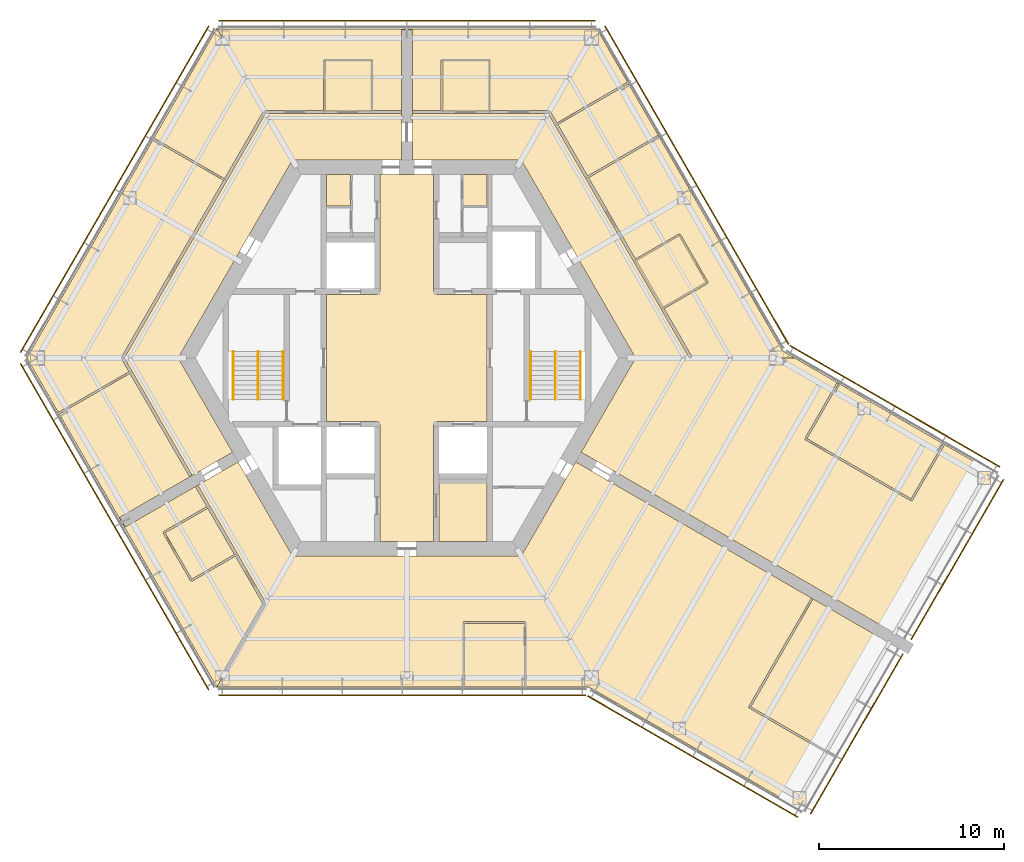
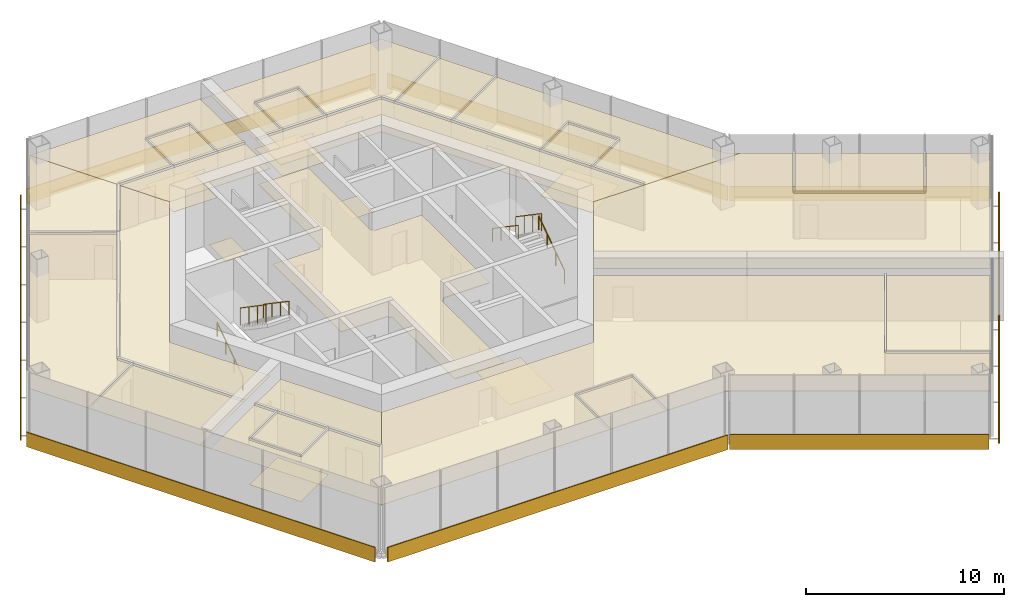
# One storey, part 15 of 15: 29 coverings, 9 shading devices, 6 railings.
"""IFC4 building model written with IfcOpenShell, lengths in metres."""

from ifc_helpers import new_model, si_unit, direction, frame, origin, origin_2d, place, context, subcontext, project, spatial, polyline, rectangle, circle, outline, extrude, material, layer, layer_set, type_object, element, save


model = new_model("IFC4")

# Units and contexts
model_context = context("Model", 3, precision=1e-05, world=origin(), true_north=direction((0.0, 1.0)))
body_context = subcontext(model_context, "Body", "Model", "MODEL_VIEW")
ifc_project = project(units=[si_unit("LENGTHUNIT", "METRE"), si_unit("AREAUNIT", "SQUARE_METRE"), si_unit("VOLUMEUNIT", "CUBIC_METRE"), si_unit("PLANEANGLEUNIT", "RADIAN"), si_unit("MASSUNIT", "GRAM", prefix="KILO")], contexts=[model_context])

# Site, building, storey
site_placement = place(None, origin())
site = spatial("IfcSite", under=ifc_project, at=site_placement, CompositionType="ELEMENT")
building_placement = place(site_placement, origin())
building = spatial("IfcBuilding", under=site, at=building_placement, Name="Kasaneha Research Tower", CompositionType="ELEMENT")
storey_placement = place(building_placement, frame((0.0, 0.0, 236.199951171875)))
storey = spatial("IfcBuildingStorey", under=building, at=storey_placement, Name="L59", CompositionType="ELEMENT", Elevation=236.199951171875)

# Covering
ifc_material_1 = material(Name="Aluminium panel ceiling", Category="aluminium")
ifc_layer_1 = layer(ifc_material_1, 0.0400390625)
ifc_layer_set_1 = layer_set([ifc_layer_1], Name="Lift lobby ceiling 40")
covering_type_1 = type_object("IfcCoveringType", Name="Lift lobby ceiling 40", PredefinedType="CEILING", material=ifc_layer_set_1)
covering_1_placement = place(storey_placement, frame((0.0, 0.0, 2.699951171875)))
element("IfcCovering", 1, at=covering_1_placement, inside=storey, type_object=covering_type_1, Name="Ceiling L59-01", PredefinedType="CEILING", context=body_context, shape_type="SweptSolid", body=[
    extrude(outline(polyline([(1.449951171875, 9.925048828125), (1.449951171875, 3.60009765625), (1.60009765625, 3.60009765625), (1.60009765625, 3.449951171875), (4.35009765625, 3.449951171875), (4.35009765625, -3.449951171875), (1.60009765625, -3.449951171875), (1.60009765625, -3.60009765625), (1.449951171875, -3.60009765625), (1.449951171875, -9.925048828125), (-1.449951171875, -9.925048828125), (-1.449951171875, -3.60009765625), (-1.60009765625, -3.60009765625), (-1.60009765625, -3.449951171875), (-4.35009765625, -3.449951171875), (-4.35009765625, 3.449951171875), (-1.60009765625, 3.449951171875), (-1.60009765625, 3.60009765625), (-1.449951171875, 3.60009765625), (-1.449951171875, 9.925048828125), (1.449951171875, 9.925048828125)])), origin(), (0.0, 0.0, 1.0), 0.0400390625),
])

# Railings
ifc_material_2 = material(Name="Steel", Category="steel")
railing_type_1 = type_object("IfcRailingType", Name="Stair balustrade 1100", PredefinedType="GUARDRAIL", material=ifc_material_2)
for number, where, name in (
    (2, (8.050048828125, 0.35009765625, 2.12744140625), "Stair 1 balustrade L59"),
    (3, (-8.050048828125, 0.35009765625, 2.12744140625), "Stair 2 balustrade L59"),
):
    element("IfcRailing", number, at=place(storey_placement, frame(where)), inside=storey, type_object=railing_type_1, Name=name, PredefinedType="GUARDRAIL", context=body_context, shape_type="SweptSolid", body=[
        extrude(circle(Radius=0.02392578125, at=origin_2d()), frame((0.0, 0.0, 1.076171875), z_axis=(0.0, -0.826240473404, 0.563317565952), x_axis=(1.0, 0.0, 0.0)), (0.0, 0.0, 1.0), 3.14697265625),
        extrude(circle(Radius=0.02099609375, at=origin_2d()), origin(), (0.0, 0.0, 1.0), 1.052001953125),
        extrude(circle(Radius=0.02099609375, at=origin_2d()), frame((0.0, -0.86669921875, 0.5908203125)), (0.0, 0.0, 1.0), 1.052001953125),
        extrude(circle(Radius=0.02099609375, at=origin_2d()), frame((0.0, -1.7333984375, 1.181884765625)), (0.0, 0.0, 1.0), 1.052001953125),
        extrude(circle(Radius=0.02099609375, at=origin_2d()), frame((0.0, -2.60009765625, 1.772705078125)), (0.0, 0.0, 1.0), 1.052001953125),
    ])
ifc_material_3 = material(Name="Steel", Category="steel")
railing_type_2 = type_object("IfcRailingType", Name="Stair handrail 850", PredefinedType="HANDRAIL", material=ifc_material_3)
railing_1_placement = place(storey_placement, frame((9.39990234375, -2.25, 0.17724609375)))
element("IfcRailing", 4, at=railing_1_placement, inside=storey, type_object=railing_type_2, Name="Stair 1 handrail L59", PredefinedType="HANDRAIL", context=body_context, shape_type="SweptSolid", body=[
    extrude(circle(Radius=0.02392578125, at=origin_2d()), frame((0.0, 0.0, 0.826171875), z_axis=(0.0, 0.826240473404, 0.563317565952), x_axis=(-1.0, 0.0, 0.0)), (0.0, 0.0, 1.0), 3.14697265625),
    extrude(circle(Radius=0.02099609375, at=origin_2d()), origin(), (0.0, 0.0, 1.0), 0.802001953125),
    extrude(circle(Radius=0.02099609375, at=origin_2d()), frame((0.0, 0.86669921875, 0.5908203125)), (0.0, 0.0, 1.0), 0.802001953125),
    extrude(circle(Radius=0.02099609375, at=origin_2d()), frame((0.0, 1.7333984375, 1.181884765625)), (0.0, 0.0, 1.0), 0.802001953125),
    extrude(circle(Radius=0.02099609375, at=origin_2d()), frame((0.0, 2.60009765625, 1.772705078125)), (0.0, 0.0, 1.0), 0.802001953125),
])
railing_2_placement = place(storey_placement, frame((6.699951171875, 0.35009765625, 2.12744140625)))
element("IfcRailing", 5, at=railing_2_placement, inside=storey, type_object=railing_type_2, Name="Stair 1 handrail L59", PredefinedType="HANDRAIL", context=body_context, shape_type="SweptSolid", body=[
    extrude(circle(Radius=0.02392578125, at=origin_2d()), frame((0.0, 0.0, 0.826171875), z_axis=(0.0, -0.826240473404, 0.563317565952), x_axis=(1.0, 0.0, 0.0)), (0.0, 0.0, 1.0), 3.14697265625),
    extrude(circle(Radius=0.02099609375, at=origin_2d()), origin(), (0.0, 0.0, 1.0), 0.802001953125),
    extrude(circle(Radius=0.02099609375, at=origin_2d()), frame((0.0, -0.86669921875, 0.5908203125)), (0.0, 0.0, 1.0), 0.802001953125),
    extrude(circle(Radius=0.02099609375, at=origin_2d()), frame((0.0, -1.7333984375, 1.181884765625)), (0.0, 0.0, 1.0), 0.802001953125),
    extrude(circle(Radius=0.02099609375, at=origin_2d()), frame((0.0, -2.60009765625, 1.772705078125)), (0.0, 0.0, 1.0), 0.802001953125),
])
railing_3_placement = place(storey_placement, frame((-9.39990234375, -2.25, 0.17724609375)))
element("IfcRailing", 6, at=railing_3_placement, inside=storey, type_object=railing_type_2, Name="Stair 2 handrail L59", PredefinedType="HANDRAIL", context=body_context, shape_type="SweptSolid", body=[
    extrude(circle(Radius=0.02392578125, at=origin_2d()), frame((0.0, 0.0, 0.826171875), z_axis=(0.0, 0.826240473404, 0.563317565952), x_axis=(-1.0, 0.0, 0.0)), (0.0, 0.0, 1.0), 3.14697265625),
    extrude(circle(Radius=0.02099609375, at=origin_2d()), origin(), (0.0, 0.0, 1.0), 0.802001953125),
    extrude(circle(Radius=0.02099609375, at=origin_2d()), frame((0.0, 0.86669921875, 0.5908203125)), (0.0, 0.0, 1.0), 0.802001953125),
    extrude(circle(Radius=0.02099609375, at=origin_2d()), frame((0.0, 1.7333984375, 1.181884765625)), (0.0, 0.0, 1.0), 0.802001953125),
    extrude(circle(Radius=0.02099609375, at=origin_2d()), frame((0.0, 2.60009765625, 1.772705078125)), (0.0, 0.0, 1.0), 0.802001953125),
])
railing_4_placement = place(storey_placement, frame((-6.699951171875, 0.35009765625, 2.12744140625)))
element("IfcRailing", 7, at=railing_4_placement, inside=storey, type_object=railing_type_2, Name="Stair 2 handrail L59", PredefinedType="HANDRAIL", context=body_context, shape_type="SweptSolid", body=[
    extrude(circle(Radius=0.02392578125, at=origin_2d()), frame((0.0, 0.0, 0.826171875), z_axis=(0.0, -0.826240473404, 0.563317565952), x_axis=(1.0, 0.0, 0.0)), (0.0, 0.0, 1.0), 3.14697265625),
    extrude(circle(Radius=0.02099609375, at=origin_2d()), origin(), (0.0, 0.0, 1.0), 0.802001953125),
    extrude(circle(Radius=0.02099609375, at=origin_2d()), frame((0.0, -0.86669921875, 0.5908203125)), (0.0, 0.0, 1.0), 0.802001953125),
    extrude(circle(Radius=0.02099609375, at=origin_2d()), frame((0.0, -1.7333984375, 1.181884765625)), (0.0, 0.0, 1.0), 0.802001953125),
    extrude(circle(Radius=0.02099609375, at=origin_2d()), frame((0.0, -2.60009765625, 1.772705078125)), (0.0, 0.0, 1.0), 0.802001953125),
])

# Coverings
ifc_material_4 = material(Name="Gypsum ceiling board", Category="gypsum")
ifc_layer_2 = layer(ifc_material_4, 0.02001953125)
ifc_layer_set_2 = layer_set([ifc_layer_2], Name="Suspended ceiling 20")
covering_type_2 = type_object("IfcCoveringType", Name="Suspended ceiling 20", PredefinedType="CEILING", material=ifc_layer_set_2)
covering_2_placement = place(storey_placement, frame((0.0, 0.0, 2.800048828125)))
element("IfcCovering", 8, at=covering_2_placement, inside=storey, type_object=covering_type_2, Name="Ceiling L59-27", PredefinedType="CEILING", context=body_context, shape_type="SweptSolid", body=[
    extrude(outline(polyline([(6.192138671875, 10.72509765625), (0.300048828125, 10.72509765625), (0.300048828125, 11.72509765625), (0.300048828125, 12.72509765625), (0.300048828125, 13.324951171875), (0.320068359375, 13.324951171875), (0.320068359375, 13.25), (1.89501953125, 13.25), (1.904541015625, 13.25), (4.46044921875, 13.25), (4.469970703125, 13.25), (7.64990234375, 13.25), (8.019287109375, 12.610107421875), (8.019287109375, 12.610107421875), (9.68505859375, 9.72509765625), (9.68505859375, 9.72509765625), (12.277099609375, 5.235595703125), (12.277099609375, 5.235595703125), (13.77734375, 2.636962890625), (13.77734375, 2.636962890625), (15.2998046875, 0.0), (12.38427734375, 0.0), (6.192138671875, 10.72509765625)])), origin(), (0.0, 0.0, 1.0), 0.02001953125),
])
covering_3_placement = place(storey_placement, frame((0.0, 0.0, 2.800048828125)))
element("IfcCovering", 9, at=covering_3_placement, inside=storey, type_object=covering_type_2, Name="Ceiling L59-28", PredefinedType="CEILING", context=body_context, shape_type="SweptSolid", body=[
    extrude(outline(polyline([(4.4150390625, 16.074951171875), (4.41064453125, 13.39990234375), (1.954345703125, 13.39990234375), (1.9501953125, 16.074951171875), (4.4150390625, 16.074951171875)])), origin(), (0.0, 0.0, 1.0), 0.02001953125),
])
covering_4_placement = place(storey_placement, frame((0.0, 0.0, 2.800048828125)))
element("IfcCovering", 10, at=covering_4_placement, inside=storey, type_object=covering_type_2, Name="Ceiling L59-29", PredefinedType="CEILING", context=body_context, shape_type="SweptSolid", body=[
    extrude(outline(polyline([(16.1962890625, 4.09716796875), (13.877685546875, 2.763427734375), (12.431884765625, 5.267333984375), (14.746337890625, 6.608642578125), (16.1962890625, 4.09716796875)])), origin(), (0.0, 0.0, 1.0), 0.02001953125),
])
covering_5_placement = place(storey_placement, frame((0.0, 0.0, 2.800048828125)))
element("IfcCovering", 11, at=covering_5_placement, inside=storey, type_object=covering_type_2, Name="Ceiling L59-30", PredefinedType="CEILING", context=body_context, shape_type="SweptSolid", body=[
    extrude(outline(polyline([(13.623291015625, 12.004638671875), (13.598388671875, 12.0478515625), (9.78515625, 9.851318359375), (8.17431640625, 12.641845703125), (12.000244140625, 14.85595703125), (13.640869140625, 12.0146484375), (13.623291015625, 12.004638671875)])), origin(), (0.0, 0.0, 1.0), 0.02001953125),
])
covering_6_placement = place(storey_placement, frame((0.0, 0.0, 2.800048828125)))
element("IfcCovering", 12, at=covering_6_placement, inside=storey, type_object=covering_type_2, Name="Ceiling L59-31", PredefinedType="CEILING", context=body_context, shape_type="SweptSolid", body=[
    extrude(outline(polyline([(15.375244140625, 0.020263671875), (15.439697265625, 0.0576171875), (13.927490234375, 2.6767578125), (16.28955078125, 4.035400390625), (16.2646484375, 4.078857421875), (16.30810546875, 4.103759765625), (14.80810546875, 6.701904296875), (14.764892578125, 6.677001953125), (14.764892578125, 6.67724609375), (14.7646484375, 6.67724609375), (14.73974609375, 6.72021484375), (12.3818359375, 5.35400390625), (9.835205078125, 9.764892578125), (13.6484375, 11.961181640625), (13.62353515625, 12.004150390625), (13.64111328125, 12.01416015625), (20.365966796875, 0.365966796875), (21.0, 0.0), (15.386962890625, 0.0), (15.375244140625, 0.020263671875)])), origin(), (0.0, 0.0, 1.0), 0.02001953125),
])
covering_7_placement = place(storey_placement, frame((0.0, 0.0, 2.800048828125)))
element("IfcCovering", 13, at=covering_7_placement, inside=storey, type_object=covering_type_2, Name="Ceiling L59-32", PredefinedType="CEILING", context=body_context, shape_type="SweptSolid", body=[
    extrude(outline(polyline([(10.28857421875, 17.820556640625), (11.9501953125, 14.9423828125), (8.124267578125, 12.728515625), (7.758056640625, 13.362548828125), (7.693359375, 13.3251953125), (7.693359375, 13.325439453125), (7.693115234375, 13.325439453125), (7.693115234375, 13.39990234375), (4.510498046875, 13.39990234375), (4.514892578125, 16.125), (4.46533203125, 16.125), (4.46533203125, 16.12548828125), (4.465087890625, 16.12548828125), (4.465087890625, 16.175048828125), (1.89990234375, 16.175048828125), (1.89990234375, 16.12548828125), (1.89990234375, 16.12548828125), (1.89990234375, 16.125), (1.85009765625, 16.125), (1.8544921875, 13.39990234375), (0.320068359375, 13.39990234375), (0.320068359375, 13.325439453125), (0.300048828125, 13.325439453125), (0.300048828125, 17.7705078125), (0.300048828125, 17.7705078125), (0.0, 17.7705078125), (0.0, 17.820556640625), (10.28857421875, 17.820556640625)])), origin(), (0.0, 0.0, 1.0), 0.02001953125),
])
covering_8_placement = place(storey_placement, frame((0.0, 0.0, 2.800048828125)))
element("IfcCovering", 14, at=covering_8_placement, inside=storey, type_object=covering_type_2, Name="Ceiling L59-33", PredefinedType="CEILING", context=body_context, shape_type="SweptSolid", body=[
    extrude(outline(polyline([(-0.300048828125, 11.72509765625), (-0.300048828125, 10.72509765625), (-6.192138671875, 10.72509765625), (-7.64990234375, 13.25), (-7.64990234375, 13.25), (-4.469970703125, 13.25), (-4.46044921875, 13.25), (-1.904541015625, 13.25), (-1.89501953125, 13.25), (-0.320068359375, 13.25), (-0.320068359375, 13.324951171875), (-0.300048828125, 13.324951171875), (-0.300048828125, 12.72509765625), (-0.300048828125, 11.72509765625)])), origin(), (0.0, 0.0, 1.0), 0.02001953125),
])
covering_9_placement = place(storey_placement, frame((0.0, 0.0, 2.800048828125)))
element("IfcCovering", 15, at=covering_9_placement, inside=storey, type_object=covering_type_2, Name="Ceiling L59-34", PredefinedType="CEILING", context=body_context, shape_type="SweptSolid", body=[
    extrude(outline(polyline([(-1.9501953125, 16.074951171875), (-1.954345703125, 13.39990234375), (-4.41064453125, 13.39990234375), (-4.4150390625, 16.074951171875), (-1.9501953125, 16.074951171875)])), origin(), (0.0, 0.0, 1.0), 0.02001953125),
])
covering_10_placement = place(storey_placement, frame((0.0, 0.0, 2.800048828125)))
element("IfcCovering", 16, at=covering_10_placement, inside=storey, type_object=covering_type_2, Name="Ceiling L59-35", PredefinedType="CEILING", context=body_context, shape_type="SweptSolid", body=[
    extrude(outline(polyline([(-0.320068359375, 13.325439453125), (-0.320068359375, 13.39990234375), (-1.8544921875, 13.39990234375), (-1.85009765625, 16.125), (-1.899658203125, 16.125), (-1.899658203125, 16.12548828125), (-1.89990234375, 16.12548828125), (-1.89990234375, 16.175048828125), (-4.465087890625, 16.175048828125), (-4.465087890625, 16.12548828125), (-4.465087890625, 16.125), (-4.514892578125, 16.125), (-4.510498046875, 13.39990234375), (-7.670166015625, 13.39990234375), (-7.670166015625, 13.325439453125), (-7.693359375, 13.325439453125), (-10.28857421875, 17.820556640625), (0.0, 17.820556640625), (0.0, 17.7705078125), (-0.300048828125, 17.7705078125), (-0.300048828125, 17.7705078125), (-0.300048828125, 13.325439453125), (-0.320068359375, 13.325439453125)])), origin(), (0.0, 0.0, 1.0), 0.02001953125),
])
covering_11_placement = place(storey_placement, frame((0.0, 0.0, 2.800048828125)))
element("IfcCovering", 17, at=covering_11_placement, inside=storey, type_object=covering_type_2, Name="Ceiling L59-36", PredefinedType="CEILING", context=body_context, shape_type="SweptSolid", body=[
    extrude(outline(polyline([(-12.38427734375, 0.0), (-9.438232421875, -5.102783203125), (-10.30419921875, -5.602783203125), (-10.30419921875, -5.602783203125), (-11.170166015625, -6.102783203125), (-11.170166015625, -6.102783203125), (-11.689697265625, -6.402587890625), (-11.69970703125, -6.385498046875), (-11.634765625, -6.347900390625), (-14.88818359375, -0.713134765625), (-14.887939453125, -0.713134765625), (-15.2998046875, 0.0), (-9.764892578125, 9.5869140625), (-9.764892578125, 9.5869140625), (-7.64990234375, 13.25), (-6.192138671875, 10.72509765625), (-12.38427734375, 0.0)])), origin(), (0.0, 0.0, 1.0), 0.02001953125),
])
covering_12_placement = place(storey_placement, frame((0.0, 0.0, 2.800048828125)))
element("IfcCovering", 18, at=covering_12_placement, inside=storey, type_object=covering_type_2, Name="Ceiling L59-37", PredefinedType="CEILING", context=body_context, shape_type="SweptSolid", body=[
    extrude(outline(polyline([(-15.539794921875, -8.62548828125), (-15.539794921875, -8.62548828125), (-15.3896484375, -8.88525390625), (-15.43310546875, -8.91015625), (-18.823486328125, -3.037841796875), (-14.992919921875, -0.831298828125), (-11.7646484375, -6.4228515625), (-11.69970703125, -6.385498046875), (-11.689697265625, -6.402587890625), (-11.429931640625, -6.252685546875), (-15.539794921875, -8.62548828125), (-15.539794921875, -8.62548828125)])), origin(), (0.0, 0.0, 1.0), 0.02001953125),
])
covering_13_placement = place(storey_placement, frame((0.0, 0.0, 2.800048828125)))
element("IfcCovering", 19, at=covering_13_placement, inside=storey, type_object=covering_type_2, Name="Ceiling L59-38", PredefinedType="CEILING", context=body_context, shape_type="SweptSolid", body=[
    extrude(outline(polyline([(-12.027587890625, 14.83251953125), (-10.299072265625, 17.826416015625), (-10.291748046875, 17.83203125), (-10.282470703125, 17.830810546875), (-7.681396484375, 13.32568359375), (-7.686279296875, 13.31396484375), (-7.693603515625, 13.3251953125), (-7.705078125, 13.30517578125), (-7.76953125, 13.342529296875), (-9.869873046875, 9.705078125), (-13.7001953125, 11.911376953125), (-12.023193359375, 14.816162109375), (-12.02880859375, 14.822998046875), (-12.027587890625, 14.83251953125)])), origin(), (0.0, 0.0, 1.0), 0.02001953125),
])
covering_14_placement = place(storey_placement, frame((0.0, 0.0, 2.800048828125)))
element("IfcCovering", 20, at=covering_14_placement, inside=storey, type_object=covering_type_2, Name="Ceiling L59-39", PredefinedType="CEILING", context=body_context, shape_type="SweptSolid", body=[
    extrude(outline(polyline([(-15.38671875, 0.000244140625), (-15.38671875, -0.000244140625), (-15.451416015625, -0.03759765625), (-15.04296875, -0.74462890625), (-18.87353515625, -2.951171875), (-20.577392578125, 0.0), (-13.750244140625, 11.82470703125), (-9.919677734375, 9.618408203125), (-15.451416015625, 0.03759765625), (-15.38671875, 0.000244140625), (-15.38671875, 0.000244140625)])), origin(), (0.0, 0.0, 1.0), 0.02001953125),
])
covering_15_placement = place(storey_placement, frame((0.0, 0.0, 2.800048828125)))
element("IfcCovering", 21, at=covering_15_placement, inside=storey, type_object=covering_type_2, Name="Ceiling L59-40", PredefinedType="CEILING", context=body_context, shape_type="SweptSolid", body=[
    extrude(outline(polyline([(-10.8701171875, -6.622314453125), (-10.004150390625, -6.122314453125), (-10.004150390625, -6.122314453125), (-9.13818359375, -5.622314453125), (-6.192138671875, -10.72509765625), (-7.64990234375, -13.25), (-9.177001953125, -10.604736328125), (-9.177001953125, -10.604736328125), (-10.67724609375, -8.00634765625), (-10.677490234375, -8.00634765625), (-11.31494140625, -6.902099609375), (-11.3798828125, -6.939697265625), (-11.389892578125, -6.92236328125), (-10.8701171875, -6.622314453125), (-10.8701171875, -6.622314453125)])), origin(), (0.0, 0.0, 1.0), 0.02001953125),
])
covering_16_placement = place(storey_placement, frame((0.0, 0.0, 2.800048828125)))
element("IfcCovering", 22, at=covering_16_placement, inside=storey, type_object=covering_type_2, Name="Ceiling L59-41", PredefinedType="CEILING", context=body_context, shape_type="SweptSolid", body=[
    extrude(outline(polyline([(-13.096435546875, -9.466552734375), (-10.777587890625, -8.132568359375), (-9.33203125, -10.63671875), (-11.646484375, -11.977783203125), (-13.096435546875, -9.466552734375)])), origin(), (0.0, 0.0, 1.0), 0.02001953125),
])
covering_17_placement = place(storey_placement, frame((0.0, 0.0, 2.800048828125)))
element("IfcCovering", 23, at=covering_17_placement, inside=storey, type_object=covering_type_2, Name="Ceiling L59-42", PredefinedType="CEILING", context=body_context, shape_type="SweptSolid", body=[
    extrude(outline(polyline([(-11.380126953125, -6.93994140625), (-11.44482421875, -6.97705078125), (-10.82763671875, -8.046142578125), (-13.189697265625, -9.40478515625), (-13.164794921875, -9.447998046875), (-13.1650390625, -9.447998046875), (-13.1650390625, -9.4482421875), (-13.2080078125, -9.47314453125), (-11.7080078125, -12.0712890625), (-11.6650390625, -12.04638671875), (-11.6650390625, -12.04638671875), (-11.664794921875, -12.046142578125), (-11.6396484375, -12.08935546875), (-9.281982421875, -10.72314453125), (-7.76953125, -13.342529296875), (-7.705078125, -13.30517578125), (-7.693359375, -13.325439453125), (-10.28857421875, -17.820556640625), (-15.43310546875, -8.91015625), (-15.3896484375, -8.88525390625), (-15.23974609375, -9.14501953125), (-15.23974609375, -9.14501953125), (-15.23974609375, -9.14501953125), (-11.39013671875, -6.922607421875), (-11.380126953125, -6.93994140625)])), origin(), (0.0, 0.0, 1.0), 0.02001953125),
])
covering_18_placement = place(storey_placement, frame((0.0, 0.0, 2.800048828125)))
element("IfcCovering", 24, at=covering_18_placement, inside=storey, type_object=covering_type_2, Name="Ceiling L59-43", PredefinedType="CEILING", context=body_context, shape_type="SweptSolid", body=[
    extrude(outline(polyline([(29.03173828125, -4.63720703125), (27.306640625, -7.625), (21.660400390625, -4.364990234375), (23.37548828125, -1.39453125), (23.332275390625, -1.36962890625), (23.34228515625, -1.352294921875), (29.03173828125, -4.63720703125)])), origin(), (0.0, 0.0, 1.0), 0.02001953125),
])
covering_19_placement = place(storey_placement, frame((0.0, 0.0, 2.800048828125)))
element("IfcCovering", 25, at=covering_19_placement, inside=storey, type_object=covering_type_2, Name="Ceiling L59-44", PredefinedType="CEILING", context=body_context, shape_type="SweptSolid", body=[
    extrude(outline(polyline([(10.30419921875, -5.602783203125), (10.30419921875, -5.602783203125), (9.438232421875, -5.102783203125), (12.38427734375, 0.0), (15.2998046875, 0.0), (15.309814453125, -0.017578125), (15.340087890625, 0.0), (21.0, 0.0), (23.341796875, -1.35205078125), (23.331787109375, -1.369384765625), (23.288818359375, -1.344482421875), (21.548828125, -4.3583984375), (21.592041015625, -4.38330078125), (21.591796875, -4.3837890625), (21.592041015625, -4.3837890625), (21.567138671875, -4.4267578125), (27.300048828125, -7.736572265625), (27.324951171875, -7.693115234375), (27.368408203125, -7.71826171875), (29.1181640625, -4.68701171875), (31.94140625, -6.31689453125), (26.84130859375, -15.150390625), (11.170166015625, -6.102783203125), (11.170166015625, -6.102783203125), (10.30419921875, -5.602783203125)])), origin(), (0.0, 0.0, 1.0), 0.02001953125),
])
covering_20_placement = place(storey_placement, frame((0.0, 0.0, 2.800048828125)))
element("IfcCovering", 26, at=covering_20_placement, inside=storey, type_object=covering_type_2, Name="Ceiling L59-45", PredefinedType="CEILING", context=body_context, shape_type="SweptSolid", body=[
    extrude(outline(polyline([(23.141357421875, -21.55908203125), (23.1240234375, -21.549072265625), (23.14892578125, -21.505615234375), (18.61962890625, -18.890625), (21.984619140625, -13.0625), (21.94140625, -13.037353515625), (21.951416015625, -13.02001953125), (24.728271484375, -14.623291015625), (26.541259765625, -15.670166015625), (23.141357421875, -21.55908203125)])), origin(), (0.0, 0.0, 1.0), 0.02001953125),
])
covering_21_placement = place(storey_placement, frame((0.0, 0.0, 2.800048828125)))
element("IfcCovering", 27, at=covering_21_placement, inside=storey, type_object=covering_type_2, Name="Ceiling L59-46", PredefinedType="CEILING", context=body_context, shape_type="SweptSolid", body=[
    extrude(outline(polyline([(3.077392578125, -17.820556640625), (3.077392578125, -17.800537109375), (3.12744140625, -17.800537109375), (3.12744140625, -14.37060546875), (6.3583984375, -14.37060546875), (6.3583984375, -17.800537109375), (6.408203125, -17.800537109375), (6.408203125, -17.820556640625), (3.077392578125, -17.820556640625)])), origin(), (0.0, 0.0, 1.0), 0.02001953125),
])
covering_22_placement = place(storey_placement, frame((0.0, 0.0, 2.800048828125)))
element("IfcCovering", 28, at=covering_22_placement, inside=storey, type_object=covering_type_2, Name="Ceiling L59-47", PredefinedType="CEILING", context=body_context, shape_type="SweptSolid", body=[
    extrude(outline(polyline([(6.192138671875, -10.72509765625), (9.13818359375, -5.622314453125), (10.004150390625, -6.122314453125), (10.004150390625, -6.122314453125), (10.8701171875, -6.622314453125), (10.8701171875, -6.622314453125), (16.652587890625, -9.960693359375), (21.950927734375, -13.019775390625), (21.94091796875, -13.037109375), (21.898193359375, -13.012451171875), (18.508056640625, -18.884033203125), (18.551025390625, -18.908935546875), (18.551025390625, -18.9091796875), (18.55126953125, -18.9091796875), (18.5263671875, -18.952392578125), (23.09912109375, -21.59228515625), (23.123779296875, -21.549560546875), (23.14111328125, -21.5595703125), (21.44140625, -24.50341796875), (9.865966796875, -17.820556640625), (6.40869140625, -17.820556640625), (6.40869140625, -17.800537109375), (6.458251953125, -17.800537109375), (6.458251953125, -14.320556640625), (6.408447265625, -14.320556640625), (6.408447265625, -14.320068359375), (6.408203125, -14.320068359375), (6.408203125, -14.2705078125), (3.077392578125, -14.2705078125), (3.077392578125, -14.320068359375), (3.076904296875, -14.320068359375), (3.076904296875, -14.320556640625), (3.02734375, -14.320556640625), (3.02734375, -17.800537109375), (3.076904296875, -17.800537109375), (3.076904296875, -17.820556640625), (-10.28857421875, -17.820556640625), (-7.670166015625, -13.284912109375), (-7.6396484375, -13.267578125), (-7.64990234375, -13.25), (-6.192138671875, -10.72509765625), (6.192138671875, -10.72509765625)])), origin(), (0.0, 0.0, 1.0), 0.02001953125),
])

# Shading devices
ifc_material_5 = material(Name="Terracotta", Category="masonry")
ifc_layer_3 = layer(ifc_material_5, 0.06005859375)
ifc_layer_set_3 = layer_set([ifc_layer_3], Name="Terracotta baguette screen")
shading_device_type = type_object("IfcShadingDeviceType", Name="Terracotta baguette screen", PredefinedType="USERDEFINED", material=ifc_layer_set_3)
shading_device_1_placement = place(storey_placement, frame((15.696044921875, 9.35498046875, -0.449951171875), z_axis=(0.0, 0.0, 1.0), x_axis=(-0.499999979232, 0.866025415775, 0.0)))
element("IfcShadingDevice", 29, at=shading_device_1_placement, inside=storey, type_object=shading_device_type, Name="Baguette screen L59 01", ObjectType="TERRACOTTA BAGUETTE SCREEN", PredefinedType="USERDEFINED", context=body_context, shape_type="SweptSolid", body=[
    extrude(rectangle(XDim=19.8857421875, YDim=0.06005859375, at=origin_2d()), origin(), (0.0, 0.0, 1.0), 0.89990234375),
])
for number, where, z_axis, x_axis, name in (
    (30, (0.0, 18.2705078125, -0.449951171875), (0.0, 0.0, 1.0), (-1.0, 0.0, 0.0), "Baguette screen L59 02"),
    (31, (-15.82275390625, 9.13525390625, -0.449951171875), (0.0, 0.0, 1.0), (-0.499999995722, -0.866025406254, 0.0), "Baguette screen L59 03"),
    (32, (-15.82275390625, -9.13525390625, -0.449951171875), (0.0, 0.0, 1.0), (0.499999995722, -0.866025406254, 0.0), "Baguette screen L59 04"),
):
    element("IfcShadingDevice", number, at=place(storey_placement, frame(where, z_axis=z_axis, x_axis=x_axis)), inside=storey, type_object=shading_device_type, Name=name, ObjectType="TERRACOTTA BAGUETTE SCREEN", PredefinedType="USERDEFINED", context=body_context, shape_type="SweptSolid", body=[
        extrude(rectangle(XDim=20.392822265625, YDim=0.06005859375, at=origin_2d()), origin(), (0.0, 0.0, 1.0), 0.89990234375),
    ])
shading_device_2_placement = place(storey_placement, frame((-0.253662109375, -18.2705078125, -0.449951171875), z_axis=(0.0, 0.0, 1.0), x_axis=(1.0, 0.0, 0.0)))
element("IfcShadingDevice", 33, at=shading_device_2_placement, inside=storey, type_object=shading_device_type, Name="Baguette screen L59 05", ObjectType="TERRACOTTA BAGUETTE SCREEN", PredefinedType="USERDEFINED", context=body_context, shape_type="SweptSolid", body=[
    extrude(rectangle(XDim=19.8857421875, YDim=0.06005859375, at=origin_2d()), origin(), (0.0, 0.0, 1.0), 0.89990234375),
])
shading_device_3_placement = place(storey_placement, frame((15.483642578125, -21.58349609375, -0.449951171875), z_axis=(0.0, 0.0, 1.0), x_axis=(0.866025411464, -0.499999986699, 0.0)))
element("IfcShadingDevice", 34, at=shading_device_3_placement, inside=storey, type_object=shading_device_type, Name="Baguette screen L59 06", ObjectType="TERRACOTTA BAGUETTE SCREEN", PredefinedType="USERDEFINED", context=body_context, shape_type="SweptSolid", body=[
    extrude(rectangle(XDim=13.13916015625, YDim=0.06005859375, at=origin_2d()), origin(), (0.0, 0.0, 1.0), 0.89990234375),
])
for number, where, z_axis, x_axis, name in (
    (35, (24.35595703125, -20.35498046875, -0.449951171875), (0.0, 0.0, 1.0), (0.500000011442, 0.866025397178, 0.0), "Baguette screen L59 07"),
    (36, (29.80615234375, -10.91552734375, -0.449951171875), (0.0, 0.0, 1.0), (0.500000011442, 0.866025397178, 0.0), "Baguette screen L59 08"),
):
    element("IfcShadingDevice", number, at=place(storey_placement, frame(where, z_axis=z_axis, x_axis=x_axis)), inside=storey, type_object=shading_device_type, Name=name, ObjectType="TERRACOTTA BAGUETTE SCREEN", PredefinedType="USERDEFINED", context=body_context, shape_type="SweptSolid", body=[
        extrude(rectangle(XDim=10.0, YDim=0.06005859375, at=origin_2d()), origin(), (0.0, 0.0, 1.0), 0.89990234375),
    ])
shading_device_4_placement = place(storey_placement, frame((26.43359375, -2.617431640625, -0.449951171875), z_axis=(0.0, 0.0, 1.0), x_axis=(-0.866025411464, 0.499999986699, 0.0)))
element("IfcShadingDevice", 37, at=shading_device_4_placement, inside=storey, type_object=shading_device_type, Name="Baguette screen L59 09", ObjectType="TERRACOTTA BAGUETTE SCREEN", PredefinedType="USERDEFINED", context=body_context, shape_type="SweptSolid", body=[
    extrude(rectangle(XDim=13.13916015625, YDim=0.06005859375, at=origin_2d()), origin(), (0.0, 0.0, 1.0), 0.89990234375),
])

# Coverings
ifc_material_6 = material(Name="Vinyl sheet flooring", Category="plastic")
ifc_layer_4 = layer(ifc_material_6, 0.0048828125)
ifc_layer_set_4 = layer_set([ifc_layer_4], Name="Wet room sheet flooring 5")
covering_type_3 = type_object("IfcCoveringType", Name="Wet room sheet flooring 5", PredefinedType="FLOORING", material=ifc_layer_set_4)
covering_23_placement = place(storey_placement, origin())
element("IfcCovering", 38, at=covering_23_placement, inside=storey, type_object=covering_type_3, Name="Floor finish L59-07", PredefinedType="FLOORING", context=body_context, shape_type="SweptSolid", body=[
    extrude(outline(polyline([(-4.35009765625, 8.22509765625), (-4.35009765625, 9.925048828125), (-3.050048828125, 9.925048828125), (-3.050048828125, 8.22509765625), (-4.35009765625, 8.22509765625)])), origin(), (0.0, 0.0, 1.0), 0.005126953125),
])
covering_24_placement = place(storey_placement, origin())
element("IfcCovering", 39, at=covering_24_placement, inside=storey, type_object=covering_type_3, Name="Floor finish L59-10", PredefinedType="FLOORING", context=body_context, shape_type="SweptSolid", body=[
    extrude(outline(polyline([(4.35009765625, 8.265380859375), (3.050048828125, 8.265380859375), (3.050048828125, 9.925048828125), (4.35009765625, 9.925048828125), (4.35009765625, 8.265380859375)])), origin(), (0.0, 0.0, 1.0), 0.005126953125),
])
covering_25_placement = place(storey_placement, origin())
element("IfcCovering", 40, at=covering_25_placement, inside=storey, type_object=covering_type_3, Name="Floor finish L59-13", PredefinedType="FLOORING", context=body_context, shape_type="SweptSolid", body=[
    extrude(outline(polyline([(1.75, -9.925048828125), (1.75, -6.550048828125), (4.35009765625, -6.550048828125), (4.35009765625, -9.925048828125), (1.75, -9.925048828125)])), origin(), (0.0, 0.0, 1.0), 0.005126953125),
])
covering_26_placement = place(storey_placement, origin())
element("IfcCovering", 41, at=covering_26_placement, inside=storey, type_object=covering_type_3, Name="Floor finish L59-28", PredefinedType="FLOORING", context=body_context, shape_type="SweptSolid", body=[
    extrude(outline(polyline([(1.89990234375, 16.125), (4.465087890625, 16.125), (4.465087890625, 13.324951171875), (1.89990234375, 13.324951171875), (1.89990234375, 16.125)])), origin(), (0.0, 0.0, 1.0), 0.005126953125),
])
covering_27_placement = place(storey_placement, origin())
element("IfcCovering", 42, at=covering_27_placement, inside=storey, type_object=covering_type_3, Name="Floor finish L59-29", PredefinedType="FLOORING", context=body_context, shape_type="SweptSolid", body=[
    extrude(outline(polyline([(14.7646484375, 6.6767578125), (16.2646484375, 4.078857421875), (13.83984375, 2.6787109375), (12.33984375, 5.27685546875), (14.7646484375, 6.6767578125)])), origin(), (0.0, 0.0, 1.0), 0.005126953125),
])
covering_28_placement = place(storey_placement, origin())
element("IfcCovering", 43, at=covering_28_placement, inside=storey, type_object=covering_type_3, Name="Floor finish L59-34", PredefinedType="FLOORING", context=body_context, shape_type="SweptSolid", body=[
    extrude(outline(polyline([(-4.465087890625, 16.125), (-1.89990234375, 16.125), (-1.89990234375, 13.324951171875), (-4.465087890625, 13.324951171875), (-4.465087890625, 16.125)])), origin(), (0.0, 0.0, 1.0), 0.005126953125),
])
covering_29_placement = place(storey_placement, origin())
element("IfcCovering", 44, at=covering_29_placement, inside=storey, type_object=covering_type_3, Name="Floor finish L59-41", PredefinedType="FLOORING", context=body_context, shape_type="SweptSolid", body=[
    extrude(outline(polyline([(-11.66455078125, -12.046142578125), (-13.16455078125, -9.4482421875), (-10.73974609375, -8.048095703125), (-9.23974609375, -10.646240234375), (-11.66455078125, -12.046142578125)])), origin(), (0.0, 0.0, 1.0), 0.005126953125),
])

save(model, "model.ifc")
